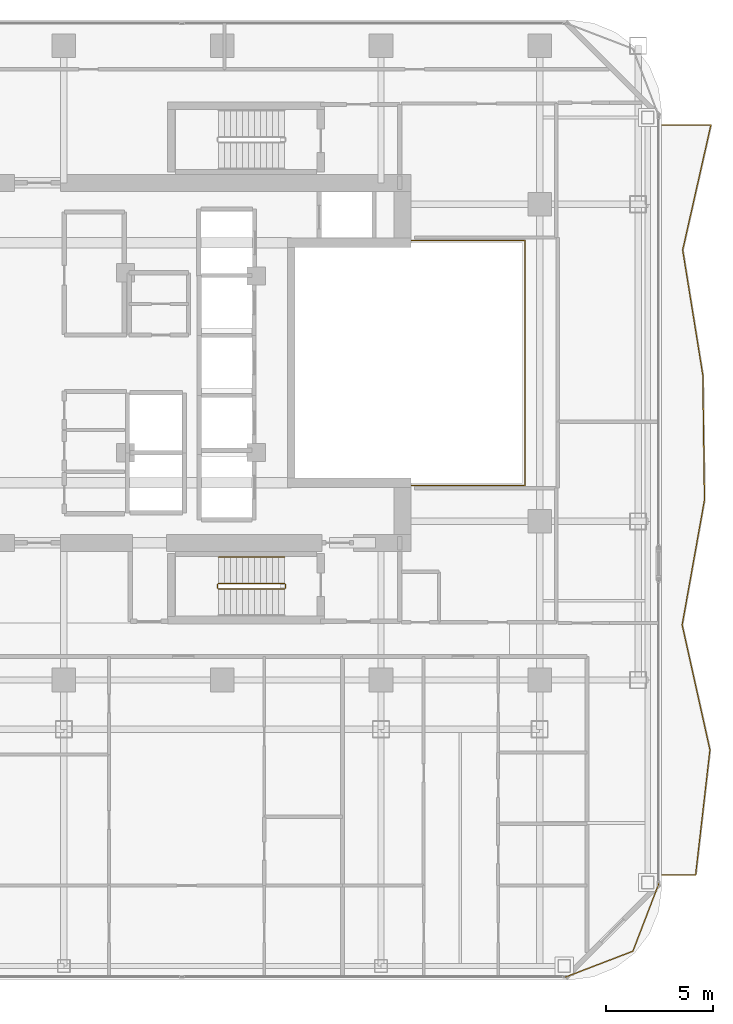
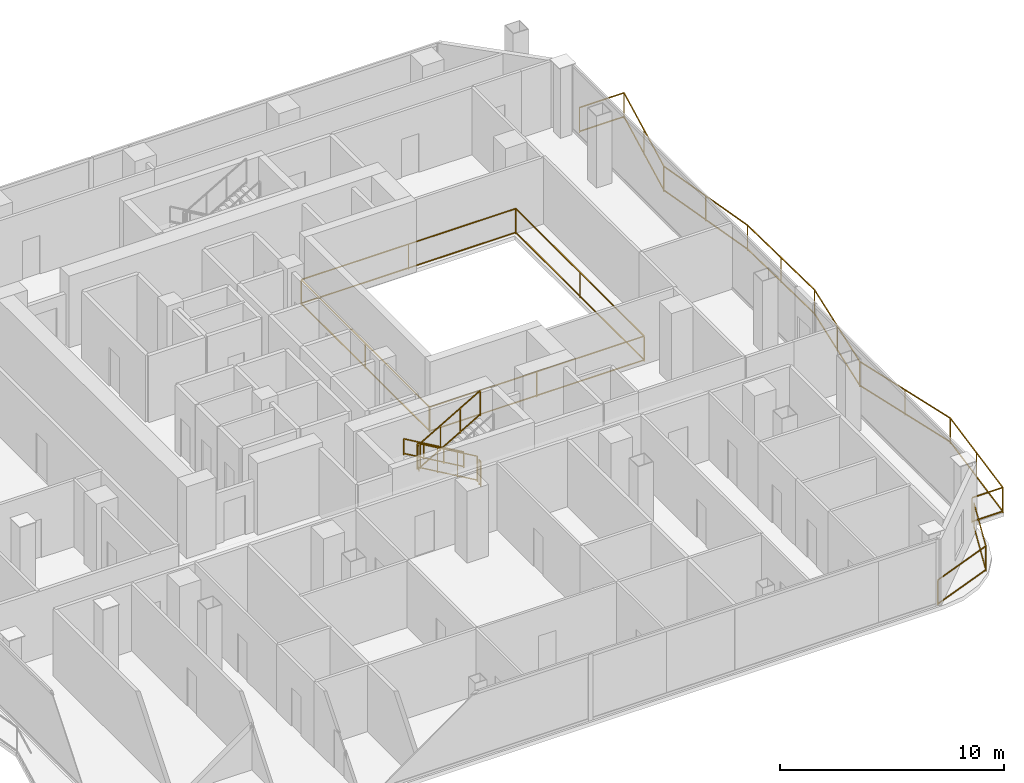
# One storey, part 23 of 24: 8 railings.
"""IFC4 building model written with IfcOpenShell, lengths in metres."""

from ifc_helpers import new_model, si_unit, direction, frame, origin, origin_2d, place, context, subcontext, project, spatial, rectangle, extrude, material, type_object, element, save


model = new_model("IFC4")

# Units and contexts
model_context = context("Model", 3, precision=1e-05, world=origin(), true_north=direction((0.0, 1.0)))
body_context = subcontext(model_context, "Body", "Model", "MODEL_VIEW")
ifc_project = project(units=[si_unit("LENGTHUNIT", "METRE"), si_unit("AREAUNIT", "SQUARE_METRE"), si_unit("VOLUMEUNIT", "CUBIC_METRE"), si_unit("PLANEANGLEUNIT", "RADIAN"), si_unit("MASSUNIT", "GRAM", prefix="KILO")], contexts=[model_context])

# Site, building, storey
site_placement = place(None, origin())
site = spatial("IfcSite", under=ifc_project, at=site_placement, CompositionType="ELEMENT")
building_placement = place(site_placement, origin())
building = spatial("IfcBuilding", under=site, at=building_placement, Name="Khorvyn Point Tower", CompositionType="ELEMENT")
storey_placement = place(building_placement, frame((0.0, 0.0, 215.699951171875)))
storey = spatial("IfcBuildingStorey", under=building, at=storey_placement, Name="L53", CompositionType="ELEMENT", Elevation=215.699951171875)

# Railings
ifc_material_1 = material(Name="Stainless steel 1.4401 and laminated glass", Category="steel")
railing_type_1 = type_object("IfcRailingType", Name="Crystal Atrium Smoke-Rated Perimeter Guardrail 1400", PredefinedType="GUARDRAIL", material=ifc_material_1)
railing_1_placement = place(storey_placement, frame((3.080078125, -5.719970703125, 0.0)))
element("IfcRailing", 1, at=railing_1_placement, inside=storey, type_object=railing_type_1, Name="L53 Crystal Atrium Perimeter Guardrail", PredefinedType="GUARDRAIL", context=body_context, shape_type="SweptSolid", body=[
    extrude(rectangle(XDim=0.048095703125, YDim=0.048095703125, at=origin_2d()), frame((0.0, 0.0, 1.3759765625), z_axis=(1.0, 0.0, 0.0), x_axis=(0.0, 1.0, 0.0)), (0.0, 0.0, 1.0), 11.0400390625),
    extrude(rectangle(XDim=0.048095703125, YDim=0.048095703125, at=origin_2d()), frame((0.0, 0.0, 0.080078125), z_axis=(1.0, 0.0, 0.0), x_axis=(0.0, 1.0, 0.0)), (0.0, 0.0, 1.0), 11.0400390625),
    extrude(rectangle(XDim=0.048095703125, YDim=0.048095703125, at=origin_2d()), frame((11.0400390625, 0.0, 1.3759765625), z_axis=(0.0, 1.0, 0.0), x_axis=(-1.0, 0.0, 0.0)), (0.0, 0.0, 1.0), 11.43994140625),
    extrude(rectangle(XDim=0.048095703125, YDim=0.048095703125, at=origin_2d()), frame((11.0400390625, 0.0, 0.080078125), z_axis=(0.0, 1.0, 0.0), x_axis=(-1.0, 0.0, 0.0)), (0.0, 0.0, 1.0), 11.43994140625),
    extrude(rectangle(XDim=0.048095703125, YDim=0.048095703125, at=origin_2d()), frame((11.0400390625, 11.43994140625, 1.3759765625), z_axis=(-1.0, 0.0, 0.0), x_axis=(0.0, -1.0, 0.0)), (0.0, 0.0, 1.0), 11.0400390625),
    extrude(rectangle(XDim=0.048095703125, YDim=0.048095703125, at=origin_2d()), frame((11.0400390625, 11.43994140625, 0.080078125), z_axis=(-1.0, 0.0, 0.0), x_axis=(0.0, -1.0, 0.0)), (0.0, 0.0, 1.0), 11.0400390625),
    extrude(rectangle(XDim=0.048095703125, YDim=0.048095703125, at=origin_2d()), frame((0.0, 11.43994140625, 1.3759765625), z_axis=(0.0, -1.0, 0.0), x_axis=(1.0, 0.0, 0.0)), (0.0, 0.0, 1.0), 11.409912109375),
    extrude(rectangle(XDim=0.048095703125, YDim=0.048095703125, at=origin_2d()), frame((0.0, 11.43994140625, 0.080078125), z_axis=(0.0, -1.0, 0.0), x_axis=(1.0, 0.0, 0.0)), (0.0, 0.0, 1.0), 11.409912109375),
    extrude(rectangle(XDim=0.0419921875, YDim=0.0419921875, at=origin_2d()), origin(), (0.0, 0.0, 1.0), 1.351806640625),
    extrude(rectangle(XDim=0.0419921875, YDim=0.0419921875, at=origin_2d()), frame((5.52001953125, 0.0, 0.0)), (0.0, 0.0, 1.0), 1.351806640625),
    extrude(rectangle(XDim=0.0419921875, YDim=0.0419921875, at=origin_2d()), frame((11.0400390625, 0.0, 0.0)), (0.0, 0.0, 1.0), 1.351806640625),
    extrude(rectangle(XDim=0.0419921875, YDim=0.0419921875, at=origin_2d()), frame((11.0400390625, 5.719970703125, 0.0)), (0.0, 0.0, 1.0), 1.351806640625),
    extrude(rectangle(XDim=0.0419921875, YDim=0.0419921875, at=origin_2d()), frame((11.0400390625, 11.43994140625, 0.0)), (0.0, 0.0, 1.0), 1.351806640625),
    extrude(rectangle(XDim=0.0419921875, YDim=0.0419921875, at=origin_2d()), frame((5.52001953125, 11.43994140625, 0.0)), (0.0, 0.0, 1.0), 1.351806640625),
    extrude(rectangle(XDim=0.0419921875, YDim=0.0419921875, at=origin_2d()), frame((0.0, 11.43994140625, 0.0)), (0.0, 0.0, 1.0), 1.351806640625),
    extrude(rectangle(XDim=0.0419921875, YDim=0.0419921875, at=origin_2d()), frame((0.0, 5.73486328125, 0.0)), (0.0, 0.0, 1.0), 1.351806640625),
    extrude(rectangle(XDim=0.0419921875, YDim=0.0419921875, at=origin_2d()), frame((0.0, 0.030029296875, 0.0)), (0.0, 0.0, 1.0), 1.351806640625),
])
ifc_material_2 = material(Name="Anodised aluminium 6063-T6 and laminated safety glass", Category="aluminium")
railing_type_2 = type_object("IfcRailingType", Name="Laminated Glass and Aluminium Balcony Guardrail 1400", PredefinedType="BALUSTRADE", material=ifc_material_2)
railing_2_placement = place(storey_placement, frame((15.981201171875, -28.67431640625, 0.0)))
element("IfcRailing", 2, at=railing_2_placement, inside=storey, type_object=railing_type_2, Name="L53 Rounded Corner Edge Guardrail SE", PredefinedType="BALUSTRADE", context=body_context, shape_type="SweptSolid", body=[
    extrude(rectangle(XDim=0.048095703125, YDim=0.048095703125, at=origin_2d()), frame((0.0, 0.0, 1.3759765625), z_axis=(0.933589651443, 0.358343916815, 0.0), x_axis=(-0.358343916815, 0.933589651443, 0.0)), (0.0, 0.0, 1.0), 3.400390625),
    extrude(rectangle(XDim=0.048095703125, YDim=0.048095703125, at=origin_2d()), frame((0.0, 0.0, 0.080078125), z_axis=(0.933589651443, 0.358343916815, 0.0), x_axis=(-0.358343916815, 0.933589651443, 0.0)), (0.0, 0.0, 1.0), 3.400390625),
    extrude(rectangle(XDim=0.048095703125, YDim=0.048095703125, at=origin_2d()), frame((3.174560546875, 1.218505859375, 1.3759765625), z_axis=(0.358343916815, 0.933589651443, 0.0), x_axis=(-0.933589651443, 0.358343916815, 0.0)), (0.0, 0.0, 1.0), 3.400390625),
    extrude(rectangle(XDim=0.048095703125, YDim=0.048095703125, at=origin_2d()), frame((3.174560546875, 1.218505859375, 0.080078125), z_axis=(0.358343916815, 0.933589651443, 0.0), x_axis=(-0.933589651443, 0.358343916815, 0.0)), (0.0, 0.0, 1.0), 3.400390625),
    extrude(rectangle(XDim=0.0419921875, YDim=0.0419921875, at=origin_2d()), origin(), (0.0, 0.0, 1.0), 1.351806640625),
    extrude(rectangle(XDim=0.0419921875, YDim=0.0419921875, at=origin_2d()), frame((3.174560546875, 1.218505859375, 0.0)), (0.0, 0.0, 1.0), 1.351806640625),
    extrude(rectangle(XDim=0.0419921875, YDim=0.0419921875, at=origin_2d()), frame((4.39306640625, 4.39306640625, 0.0)), (0.0, 0.0, 1.0), 1.351806640625),
])
railing_3_placement = place(storey_placement, frame((20.5, -23.89990234375, 0.0)))
element("IfcRailing", 3, at=railing_3_placement, inside=storey, type_object=railing_type_2, Name="L53 East Balcony Guardrail", PredefinedType="BALUSTRADE", context=body_context, shape_type="SweptSolid", body=[
    extrude(rectangle(XDim=0.048095703125, YDim=0.048095703125, at=origin_2d()), frame((0.0, 0.0, 1.3759765625), z_axis=(1.0, 0.0, 0.0), x_axis=(0.0, 1.0, 0.0)), (0.0, 0.0, 1.0), 1.581787109375),
    extrude(rectangle(XDim=0.048095703125, YDim=0.048095703125, at=origin_2d()), frame((0.0, 0.0, 0.080078125), z_axis=(1.0, 0.0, 0.0), x_axis=(0.0, 1.0, 0.0)), (0.0, 0.0, 1.0), 1.581787109375),
    extrude(rectangle(XDim=0.048095703125, YDim=0.048095703125, at=origin_2d()), frame((1.581787109375, 0.0, 1.3759765625), z_axis=(0.1137260173, 0.993512150398, 0.0), x_axis=(-0.993512150398, 0.1137260173, 0.0)), (0.0, 0.0, 1.0), 5.871337890625),
    extrude(rectangle(XDim=0.048095703125, YDim=0.048095703125, at=origin_2d()), frame((1.581787109375, 0.0, 0.080078125), z_axis=(0.1137260173, 0.993512150398, 0.0), x_axis=(-0.993512150398, 0.1137260173, 0.0)), (0.0, 0.0, 1.0), 5.871337890625),
    extrude(rectangle(XDim=0.048095703125, YDim=0.048095703125, at=origin_2d()), frame((2.24951171875, 5.833251953125, 1.3759765625), z_axis=(-0.217064557501, 0.976157250589, 0.0), x_axis=(-0.976157250589, -0.217064557501, 0.0)), (0.0, 0.0, 1.0), 5.975830078125),
    extrude(rectangle(XDim=0.048095703125, YDim=0.048095703125, at=origin_2d()), frame((2.24951171875, 5.833251953125, 0.080078125), z_axis=(-0.217064557501, 0.976157250589, 0.0), x_axis=(-0.976157250589, -0.217064557501, 0.0)), (0.0, 0.0, 1.0), 5.975830078125),
    extrude(rectangle(XDim=0.048095703125, YDim=0.048095703125, at=origin_2d()), frame((0.952392578125, 11.66650390625, 1.3759765625), z_axis=(0.175958892926, 0.984397515235, 0.0), x_axis=(-0.984397515235, 0.175958892926, 0.0)), (0.0, 0.0, 1.0), 5.926025390625),
    extrude(rectangle(XDim=0.048095703125, YDim=0.048095703125, at=origin_2d()), frame((0.952392578125, 11.66650390625, 0.080078125), z_axis=(0.175958892926, 0.984397515235, 0.0), x_axis=(-0.984397515235, 0.175958892926, 0.0)), (0.0, 0.0, 1.0), 5.926025390625),
    extrude(rectangle(XDim=0.048095703125, YDim=0.048095703125, at=origin_2d()), frame((1.9951171875, 17.5, 1.3759765625), z_axis=(-0.013350000931, 0.999910884767, 0.0), x_axis=(-0.999910884767, -0.013350000931, 0.0)), (0.0, 0.0, 1.0), 5.833740234375),
    extrude(rectangle(XDim=0.048095703125, YDim=0.048095703125, at=origin_2d()), frame((1.9951171875, 17.5, 0.080078125), z_axis=(-0.013350000931, 0.999910884767, 0.0), x_axis=(-0.999910884767, -0.013350000931, 0.0)), (0.0, 0.0, 1.0), 5.833740234375),
    extrude(rectangle(XDim=0.048095703125, YDim=0.048095703125, at=origin_2d()), frame((1.917236328125, 23.333251953125, 1.3759765625), z_axis=(-0.159083038663, 0.987265205915, 0.0), x_axis=(-0.987265205915, -0.159083038663, 0.0)), (0.0, 0.0, 1.0), 5.908447265625),
    extrude(rectangle(XDim=0.048095703125, YDim=0.048095703125, at=origin_2d()), frame((1.917236328125, 23.333251953125, 0.080078125), z_axis=(-0.159083038663, 0.987265205915, 0.0), x_axis=(-0.987265205915, -0.159083038663, 0.0)), (0.0, 0.0, 1.0), 5.908447265625),
    extrude(rectangle(XDim=0.048095703125, YDim=0.048095703125, at=origin_2d()), frame((0.977294921875, 29.16650390625, 1.3759765625), z_axis=(0.220283425331, 0.975435908978, 0.0), x_axis=(-0.975435908978, 0.220283425331, 0.0)), (0.0, 0.0, 1.0), 5.98046875),
    extrude(rectangle(XDim=0.048095703125, YDim=0.048095703125, at=origin_2d()), frame((0.977294921875, 29.16650390625, 0.080078125), z_axis=(0.220283425331, 0.975435908978, 0.0), x_axis=(-0.975435908978, 0.220283425331, 0.0)), (0.0, 0.0, 1.0), 5.98046875),
    extrude(rectangle(XDim=0.048095703125, YDim=0.048095703125, at=origin_2d()), frame((2.294677734375, 35.0, 1.3759765625), z_axis=(-1.0, 0.0, 0.0), x_axis=(0.0, -1.0, 0.0)), (0.0, 0.0, 1.0), 2.294677734375),
    extrude(rectangle(XDim=0.048095703125, YDim=0.048095703125, at=origin_2d()), frame((2.294677734375, 35.0, 0.080078125), z_axis=(-1.0, 0.0, 0.0), x_axis=(0.0, -1.0, 0.0)), (0.0, 0.0, 1.0), 2.294677734375),
    extrude(rectangle(XDim=0.0419921875, YDim=0.0419921875, at=origin_2d()), origin(), (0.0, 0.0, 1.0), 1.351806640625),
    extrude(rectangle(XDim=0.0419921875, YDim=0.0419921875, at=origin_2d()), frame((1.581787109375, 0.0, 0.0)), (0.0, 0.0, 1.0), 1.351806640625),
    extrude(rectangle(XDim=0.0419921875, YDim=0.0419921875, at=origin_2d()), frame((1.91552734375, 2.91650390625, 0.0)), (0.0, 0.0, 1.0), 1.351806640625),
    extrude(rectangle(XDim=0.0419921875, YDim=0.0419921875, at=origin_2d()), frame((2.24951171875, 5.833251953125, 0.0)), (0.0, 0.0, 1.0), 1.351806640625),
    extrude(rectangle(XDim=0.0419921875, YDim=0.0419921875, at=origin_2d()), frame((1.60107421875, 8.75, 0.0)), (0.0, 0.0, 1.0), 1.351806640625),
    extrude(rectangle(XDim=0.0419921875, YDim=0.0419921875, at=origin_2d()), frame((0.952392578125, 11.66650390625, 0.0)), (0.0, 0.0, 1.0), 1.351806640625),
    extrude(rectangle(XDim=0.0419921875, YDim=0.0419921875, at=origin_2d()), frame((1.4736328125, 14.583251953125, 0.0)), (0.0, 0.0, 1.0), 1.351806640625),
    extrude(rectangle(XDim=0.0419921875, YDim=0.0419921875, at=origin_2d()), frame((1.9951171875, 17.5, 0.0)), (0.0, 0.0, 1.0), 1.351806640625),
    extrude(rectangle(XDim=0.0419921875, YDim=0.0419921875, at=origin_2d()), frame((1.9560546875, 20.41650390625, 0.0)), (0.0, 0.0, 1.0), 1.351806640625),
    extrude(rectangle(XDim=0.0419921875, YDim=0.0419921875, at=origin_2d()), frame((1.917236328125, 23.333251953125, 0.0)), (0.0, 0.0, 1.0), 1.351806640625),
    extrude(rectangle(XDim=0.0419921875, YDim=0.0419921875, at=origin_2d()), frame((1.447265625, 26.25, 0.0)), (0.0, 0.0, 1.0), 1.351806640625),
    extrude(rectangle(XDim=0.0419921875, YDim=0.0419921875, at=origin_2d()), frame((0.977294921875, 29.16650390625, 0.0)), (0.0, 0.0, 1.0), 1.351806640625),
    extrude(rectangle(XDim=0.0419921875, YDim=0.0419921875, at=origin_2d()), frame((1.635986328125, 32.083251953125, 0.0)), (0.0, 0.0, 1.0), 1.351806640625),
    extrude(rectangle(XDim=0.0419921875, YDim=0.0419921875, at=origin_2d()), frame((2.294677734375, 35.0, 0.0)), (0.0, 0.0, 1.0), 1.351806640625),
    extrude(rectangle(XDim=0.0419921875, YDim=0.0419921875, at=origin_2d()), frame((0.0, 35.0, 0.0)), (0.0, 0.0, 1.0), 1.351806640625),
])
ifc_material_3 = material(Name="Stainless steel 1.4301", Category="steel")
railing_type_3 = type_object("IfcRailingType", Name="Stainless Steel 304 Stair Pitch Handrail 900", PredefinedType="HANDRAIL", material=ifc_material_3)
railing_4_placement = place(storey_placement, frame((2.89990234375, -9.070068359375, 0.16259765625)))
element("IfcRailing", 4, at=railing_4_placement, inside=storey, type_object=railing_type_3, Name="L53 ST-01 stair handrail 1", PredefinedType="HANDRAIL", context=body_context, shape_type="SweptSolid", body=[
    extrude(rectangle(XDim=0.048095703125, YDim=0.048095703125, at=origin_2d()), frame((0.0, 0.0, 0.8759765625), z_axis=(-0.864903211148, 0.0, 0.501938676878), x_axis=(0.0, -1.0, 0.0)), (0.0, 0.0, 1.0), 3.560791015625),
    extrude(rectangle(XDim=0.048095703125, YDim=0.048095703125, at=origin_2d()), frame((0.0, 0.0, 0.080078125), z_axis=(-0.864903211148, 0.0, 0.501938676878), x_axis=(0.0, -1.0, 0.0)), (0.0, 0.0, 1.0), 3.560791015625),
    extrude(rectangle(XDim=0.0419921875, YDim=0.0419921875, at=origin_2d()), origin(), (0.0, 0.0, 1.0), 0.851806640625),
    extrude(rectangle(XDim=0.0419921875, YDim=0.0419921875, at=origin_2d()), frame((-1.026611328125, 0.0, 0.595703125)), (0.0, 0.0, 1.0), 0.851806640625),
    extrude(rectangle(XDim=0.0419921875, YDim=0.0419921875, at=origin_2d()), frame((-2.05322265625, 0.0, 1.191650390625)), (0.0, 0.0, 1.0), 0.851806640625),
    extrude(rectangle(XDim=0.0419921875, YDim=0.0419921875, at=origin_2d()), frame((-3.079833984375, 0.0, 1.787353515625)), (0.0, 0.0, 1.0), 0.851806640625),
])
railing_type_4 = type_object("IfcRailingType", Name="Stainless Steel 304 Stair Well Guardrail 1400", PredefinedType="GUARDRAIL", material=ifc_material_3)
railing_5_placement = place(storey_placement, frame((2.89990234375, -10.2900390625, 0.16259765625)))
element("IfcRailing", 5, at=railing_5_placement, inside=storey, type_object=railing_type_4, Name="L53 ST-01 stair guard 1", PredefinedType="GUARDRAIL", context=body_context, shape_type="SweptSolid", body=[
    extrude(rectangle(XDim=0.048095703125, YDim=0.048095703125, at=origin_2d()), frame((0.0, 0.0, 1.3759765625), z_axis=(-0.864903211148, 0.0, 0.501938676878), x_axis=(0.0, -1.0, 0.0)), (0.0, 0.0, 1.0), 3.560791015625),
    extrude(rectangle(XDim=0.048095703125, YDim=0.048095703125, at=origin_2d()), frame((0.0, 0.0, 0.080078125), z_axis=(-0.864903211148, 0.0, 0.501938676878), x_axis=(0.0, -1.0, 0.0)), (0.0, 0.0, 1.0), 3.560791015625),
    extrude(rectangle(XDim=0.0419921875, YDim=0.0419921875, at=origin_2d()), origin(), (0.0, 0.0, 1.0), 1.351806640625),
    extrude(rectangle(XDim=0.0419921875, YDim=0.0419921875, at=origin_2d()), frame((-1.026611328125, 0.0, 0.595703125)), (0.0, 0.0, 1.0), 1.351806640625),
    extrude(rectangle(XDim=0.0419921875, YDim=0.0419921875, at=origin_2d()), frame((-2.05322265625, 0.0, 1.191650390625)), (0.0, 0.0, 1.0), 1.351806640625),
    extrude(rectangle(XDim=0.0419921875, YDim=0.0419921875, at=origin_2d()), frame((-3.079833984375, 0.0, 1.787353515625)), (0.0, 0.0, 1.0), 1.351806640625),
])
railing_6_placement = place(storey_placement, frame((-0.22998046875, -10.340087890625, 1.949951171875)))
element("IfcRailing", 6, at=railing_6_placement, inside=storey, type_object=railing_type_4, Name="L53 ST-01 stair guard 2", PredefinedType="GUARDRAIL", context=body_context, shape_type="SweptSolid", body=[
    extrude(rectangle(XDim=0.048095703125, YDim=0.048095703125, at=origin_2d()), frame((0.0, 0.0, 1.3759765625), z_axis=(0.0, -1.0, 0.0), x_axis=(1.0, 0.0, 0.0)), (0.0, 0.0, 1.0), 0.159912109375),
    extrude(rectangle(XDim=0.048095703125, YDim=0.048095703125, at=origin_2d()), frame((0.0, 0.0, 0.080078125), z_axis=(0.0, -1.0, 0.0), x_axis=(1.0, 0.0, 0.0)), (0.0, 0.0, 1.0), 0.159912109375),
    extrude(rectangle(XDim=0.0419921875, YDim=0.0419921875, at=origin_2d()), origin(), (0.0, 0.0, 1.0), 1.351806640625),
    extrude(rectangle(XDim=0.0419921875, YDim=0.0419921875, at=origin_2d()), frame((0.0, -0.159912109375, 0.0)), (0.0, 0.0, 1.0), 1.351806640625),
])
railing_7_placement = place(storey_placement, frame((-0.179931640625, -10.550048828125, 2.112548828125)))
element("IfcRailing", 7, at=railing_7_placement, inside=storey, type_object=railing_type_4, Name="L53 ST-01 stair guard 3", PredefinedType="GUARDRAIL", context=body_context, shape_type="SweptSolid", body=[
    extrude(rectangle(XDim=0.048095703125, YDim=0.048095703125, at=origin_2d()), frame((0.0, 0.0, 1.3759765625), z_axis=(0.864873446163, 0.0, 0.501989962173), x_axis=(0.0, 1.0, 0.0)), (0.0, 0.0, 1.0), 3.56103515625),
    extrude(rectangle(XDim=0.048095703125, YDim=0.048095703125, at=origin_2d()), frame((0.0, 0.0, 0.080078125), z_axis=(0.864873446163, 0.0, 0.501989962173), x_axis=(0.0, 1.0, 0.0)), (0.0, 0.0, 1.0), 3.56103515625),
    extrude(rectangle(XDim=0.0419921875, YDim=0.0419921875, at=origin_2d()), origin(), (0.0, 0.0, 1.0), 1.351806640625),
    extrude(rectangle(XDim=0.0419921875, YDim=0.0419921875, at=origin_2d()), frame((1.026611328125, 0.0, 0.595947265625)), (0.0, 0.0, 1.0), 1.351806640625),
    extrude(rectangle(XDim=0.0419921875, YDim=0.0419921875, at=origin_2d()), frame((2.05322265625, 0.0, 1.191650390625)), (0.0, 0.0, 1.0), 1.351806640625),
    extrude(rectangle(XDim=0.0419921875, YDim=0.0419921875, at=origin_2d()), frame((3.079833984375, 0.0, 1.78759765625)), (0.0, 0.0, 1.0), 1.351806640625),
])
railing_8_placement = place(storey_placement, frame((2.949951171875, -10.340087890625, 0.0)))
element("IfcRailing", 8, at=railing_8_placement, inside=storey, type_object=railing_type_4, Name="L53 ST-01 stair guard 4", PredefinedType="GUARDRAIL", context=body_context, shape_type="SweptSolid", body=[
    extrude(rectangle(XDim=0.048095703125, YDim=0.048095703125, at=origin_2d()), frame((0.0, 0.0, 1.3759765625), z_axis=(0.0, -1.0, 0.0), x_axis=(1.0, 0.0, 0.0)), (0.0, 0.0, 1.0), 0.159912109375),
    extrude(rectangle(XDim=0.048095703125, YDim=0.048095703125, at=origin_2d()), frame((0.0, 0.0, 0.080078125), z_axis=(0.0, -1.0, 0.0), x_axis=(1.0, 0.0, 0.0)), (0.0, 0.0, 1.0), 0.159912109375),
    extrude(rectangle(XDim=0.0419921875, YDim=0.0419921875, at=origin_2d()), origin(), (0.0, 0.0, 1.0), 1.351806640625),
    extrude(rectangle(XDim=0.0419921875, YDim=0.0419921875, at=origin_2d()), frame((0.0, -0.159912109375, 0.0)), (0.0, 0.0, 1.0), 1.351806640625),
])

save(model, "model.ifc")
